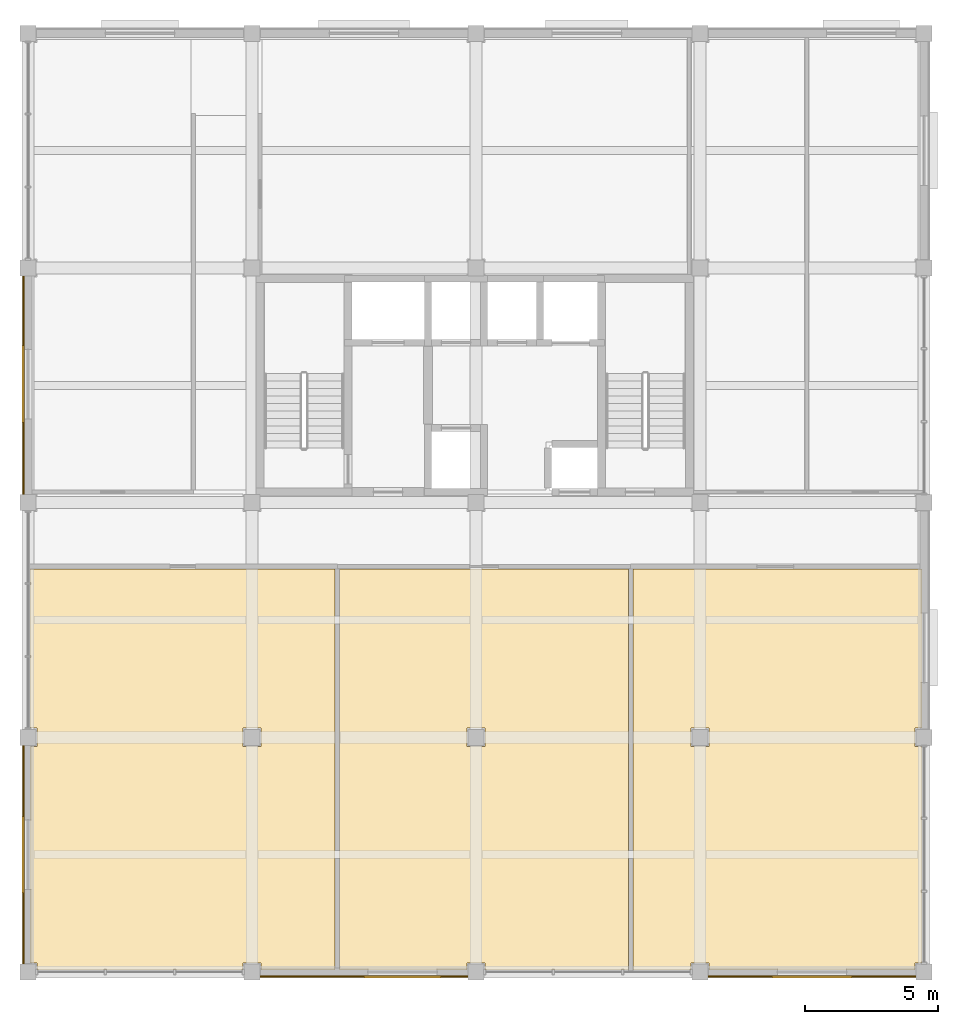
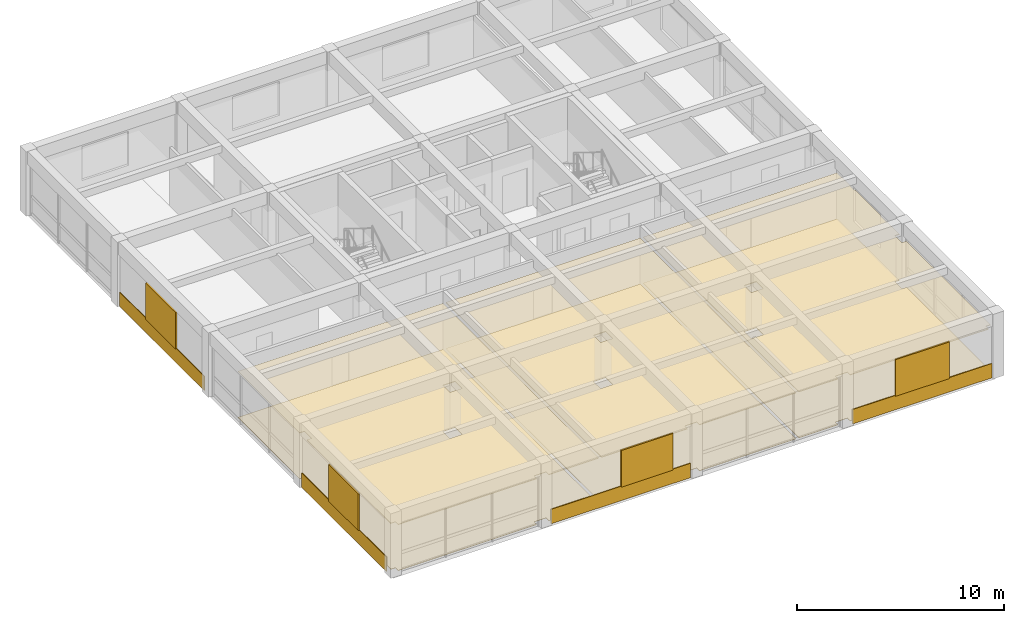
# One storey, part 9 of 12: 10 coverings, 4 shading devices.
"""IFC4 building model written with IfcOpenShell, lengths in metres."""

import ifcopenshell
import ifcopenshell.guid

model = None  # the IFC model being written
_history = None  # IfcOwnerHistory: only IFC2X3 demands one
_inside = {}  # id of a spatial element -> (the spatial element, [elements in it])
_under = {}  # id of a project, library or spatial element -> (it, [spatial elements below it])
_declared = {}  # id of a project -> (the project, [libraries it declares])
_typed = {}  # id of a type object -> (the type object, [elements of that type])
_made_of = {}  # id of a material, layer set ... -> (it, [elements and type objects made of it])


def new_model(schema):
    """Start an empty IFC model of exactly this schema.

    Asked for "IFC4X3", IfcOpenShell would pick the latest addendum, in which some entities
    have other attributes; the version numbers below select the first issue.
    IFC2X3 requires an IfcOwnerHistory on every rooted entity: one is made here for all.
    """
    global model, _history
    if schema == "IFC4X3":
        model = ifcopenshell.file(schema_version=(4, 3, 0, 0))
    else:
        model = ifcopenshell.file(schema=schema)
    _inside.clear()
    _under.clear()
    _declared.clear()
    _typed.clear()
    _made_of.clear()
    _history = None
    if model.schema == "IFC2X3":
        org = make("IfcOrganization", Name="unknown")
        user = make(
            "IfcPersonAndOrganization",
            ThePerson=make("IfcPerson", FamilyName="unknown"),
            TheOrganization=org,
        )
        app = make(
            "IfcApplication",
            ApplicationDeveloper=org,
            Version="unknown",
            ApplicationFullName="unknown",
            ApplicationIdentifier="unknown",
        )
        _history = make(
            "IfcOwnerHistory",
            OwningUser=user,
            OwningApplication=app,
            ChangeAction="ADDED",
            CreationDate=0,
        )
    return model


def make(cls, **values):
    """One entity of the class cls with the attributes given. An attribute that is None is left unset."""
    return model.create_entity(
        cls, **{name: value for name, value in values.items() if value is not None}
    )


def rooted(cls, **values):
    """An entity with a GlobalId (a new one), such as an element, a storey or a relation."""
    return make(cls, GlobalId=ifcopenshell.guid.new(), OwnerHistory=_history, **values)


def si_unit(unit_type, name, prefix=None):
    """IfcSIUnit, for example si_unit("LENGTHUNIT", "METRE", prefix="MILLI")."""
    return make("IfcSIUnit", UnitType=unit_type, Prefix=prefix, Name=name)


def assignment(units):
    """IfcUnitAssignment: the units of a project."""
    return None if units is None else make("IfcUnitAssignment", Units=units)


def point(xyz):
    """IfcCartesianPoint."""
    return None if xyz is None else make("IfcCartesianPoint", Coordinates=xyz)


def direction(xyz):
    """IfcDirection."""
    return None if xyz is None else make("IfcDirection", DirectionRatios=xyz)


def frame(location, z_axis=None, x_axis=None):
    """IfcAxis2Placement3D, a coordinate frame: its origin and axes. An axis left out is left unset."""
    return make(
        "IfcAxis2Placement3D",
        Location=point(location),
        Axis=direction(z_axis),
        RefDirection=direction(x_axis),
    )


def frame_2d(location, x_axis=None):
    """IfcAxis2Placement2D, a coordinate frame in the plane: its origin and x axis."""
    return make(
        "IfcAxis2Placement2D", Location=point(location), RefDirection=direction(x_axis)
    )


def origin():
    """The frame at (0, 0, 0) with its axes left unset."""
    return frame((0.0, 0.0, 0.0))


def origin_2d():
    """The frame at (0, 0) in the plane with its x axis left unset."""
    return frame_2d((0.0, 0.0))


def place(relative_to, where):
    """IfcLocalPlacement: puts the frame where relative to a parent placement (None: the world)."""
    return make(
        "IfcLocalPlacement", PlacementRelTo=relative_to, RelativePlacement=where
    )


def context(
    kind, dimensions, precision=None, world=None, true_north=None, identifier=None
):
    """IfcGeometricRepresentationContext, for example the 3D "Model" context."""
    return make(
        "IfcGeometricRepresentationContext",
        ContextIdentifier=identifier,
        ContextType=kind,
        CoordinateSpaceDimension=dimensions,
        Precision=precision,
        WorldCoordinateSystem=world,
        TrueNorth=true_north,
    )


def subcontext(parent, identifier, kind, view, scale=None):
    """IfcGeometricRepresentationSubContext, for example "Body" below "Model"."""
    return make(
        "IfcGeometricRepresentationSubContext",
        ContextIdentifier=identifier,
        ContextType=kind,
        ParentContext=parent,
        TargetScale=scale,
        TargetView=view,
    )


def project(units=None, contexts=None):
    """IfcProject with its units and contexts."""
    return rooted(
        "IfcProject",
        Name="project",
        RepresentationContexts=contexts,
        UnitsInContext=assignment(units),
    )


def spatial(cls, under=None, at=None, **own):
    """A site, building, storey or space (cls), placed at a placement, below another one or the project."""
    s = rooted(cls, ObjectPlacement=at, **own)
    if under is not None:
        _under.setdefault(under.id(), (under, []))[1].append(s)
    return s


def polyline(points):
    """IfcPolyline through the points."""
    return make("IfcPolyline", Points=[point(p) for p in points])


def profile(cls, at=None, kind="AREA", **sizes):
    """A parametric profile (cls). Its sizes go by their IFC names, for example OverallWidth=200.0."""
    return make(cls, ProfileType=kind, Position=at, **sizes)


def rectangle(**sizes):
    """IfcRectangleProfileDef."""
    return profile("IfcRectangleProfileDef", **sizes)


def outline(outer, holes=None, kind="AREA"):
    """IfcArbitraryClosedProfileDef: a profile drawn as a closed curve; with holes, ...WithVoids."""
    if holes is None:
        return make("IfcArbitraryClosedProfileDef", ProfileType=kind, OuterCurve=outer)
    return make(
        "IfcArbitraryProfileDefWithVoids",
        ProfileType=kind,
        OuterCurve=outer,
        InnerCurves=holes,
    )


def extrude(swept, where, along, depth):
    """IfcExtrudedAreaSolid: the profile swept, set in the frame where, extruded along a direction by depth."""
    return make(
        "IfcExtrudedAreaSolid",
        SweptArea=swept,
        Position=where,
        ExtrudedDirection=direction(along),
        Depth=depth,
    )


def shape(context_of_items, identifier, shape_type, items):
    """IfcShapeRepresentation: the items that make up one representation, for example the "Body"."""
    return make(
        "IfcShapeRepresentation",
        ContextOfItems=context_of_items,
        RepresentationIdentifier=identifier,
        RepresentationType=shape_type,
        Items=items,
    )


def material(Name=None, Category=None):
    """IfcMaterial."""
    return make("IfcMaterial", Name=Name, Category=Category)


def layer(
    of_material, thickness, ventilated=None, Name=None, Category=None, Priority=None
):
    """IfcMaterialLayer: one layer of a wall or slab, of a material (None: an air gap)."""
    return make(
        "IfcMaterialLayer",
        Material=of_material,
        LayerThickness=thickness,
        IsVentilated=ventilated,
        Name=Name,
        Category=Category,
        Priority=Priority,
    )


def layer_set(layers, Name=None):
    """IfcMaterialLayerSet."""
    return make("IfcMaterialLayerSet", MaterialLayers=layers, LayerSetName=Name)


def made_of(thing, what):
    """Note that an element or type object is made of a material, layer set ...; save() writes the relation."""
    if what is not None:
        _made_of.setdefault(what.id(), (what, []))[1].append(thing)
    return thing


def type_object(cls, material=None, **own):
    """A type object (cls), such as IfcWallType, which elements share."""
    return made_of(rooted(cls, **own), material)


def element(
    cls,
    number,
    at=None,
    inside=None,
    cuts=None,
    type_object=None,
    material=None,
    context=None,
    identifier="Body",
    shape_type=None,
    held_by="IfcProductDefinitionShape",
    body=None,
    shapes=None,
    **own,
):
    """One element of the class cls, such as IfcWall. Its Tag is "e" and its number.

    at: its placement. inside: the storey or other place that contains it. cuts: it is an
    opening in that element (IfcRelVoidsElement). A single representation is given by context,
    identifier, shape_type and body (its items); several are given by shapes. held_by: the class
    of the entity that holds the representations. save() writes the other relations.
    """
    e = rooted(cls, Tag="e%d" % number, ObjectPlacement=at, **own)
    if body is not None:
        shapes = [shape(context, identifier, shape_type, body)]
    if shapes is not None:
        e.Representation = make(held_by, Representations=shapes)
    if inside is not None:
        _inside.setdefault(inside.id(), (inside, []))[1].append(e)
    if cuts is not None:
        rooted(
            "IfcRelVoidsElement", RelatingBuildingElement=cuts, RelatedOpeningElement=e
        )
    if type_object is not None:
        _typed.setdefault(type_object.id(), (type_object, []))[1].append(e)
    return made_of(e, material)


def aggregate(whole, parts):
    """IfcRelAggregates: a whole, such as a stair, and the parts it consists of."""
    return rooted("IfcRelAggregates", RelatingObject=whole, RelatedObjects=parts)


def save(model, path):
    """Write the relations noted so far, then the file.

    IfcRelAggregates (storeys below a building ...), IfcRelContainedInSpatialStructure (elements
    in a storey), IfcRelDefinesByType, IfcRelAssociatesMaterial and IfcRelDeclares: one each for
    every whole, place, type object, material and project.
    """
    for whole, parts in _under.values():
        aggregate(whole, parts)
    for where, things in _inside.values():
        rooted(
            "IfcRelContainedInSpatialStructure",
            RelatedElements=things,
            RelatingStructure=where,
        )
    for kind, things in _typed.values():
        rooted("IfcRelDefinesByType", RelatedObjects=things, RelatingType=kind)
    for what, things in _made_of.values():
        rooted("IfcRelAssociatesMaterial", RelatedObjects=things, RelatingMaterial=what)
    for by, libraries in _declared.values():
        rooted("IfcRelDeclares", RelatingContext=by, RelatedDefinitions=libraries)
    model.write(path)


model = new_model("IFC4")

# Units and contexts
model_context = context("Model", 3, precision=1e-05, world=origin(), true_north=direction((0.0, 1.0)))
body_context = subcontext(model_context, "Body", "Model", "MODEL_VIEW")
ifc_project = project(units=[si_unit("LENGTHUNIT", "METRE"), si_unit("AREAUNIT", "SQUARE_METRE"), si_unit("VOLUMEUNIT", "CUBIC_METRE"), si_unit("PLANEANGLEUNIT", "RADIAN"), si_unit("MASSUNIT", "GRAM", prefix="KILO")], contexts=[model_context])

# Site, building, storey
site_placement = place(None, origin())
site = spatial("IfcSite", under=ifc_project, at=site_placement, CompositionType="ELEMENT")
building_placement = place(site_placement, origin())
building = spatial("IfcBuilding", under=site, at=building_placement, Name="Kemercrest Conservatory and Botanical Centre", CompositionType="ELEMENT")
storey_placement = place(building_placement, frame((0.0, 0.0, 56.0)))
storey = spatial("IfcBuildingStorey", under=building, at=storey_placement, Name="L14", CompositionType="ELEMENT", Elevation=56.0)

# Coverings
ifc_material_1 = material(Name="Honed limestone almasik ashlar rainscreen", Category="masonry")
ifc_layer_1 = layer(ifc_material_1, 0.0400390625)
ifc_layer_set_1 = layer_set([ifc_layer_1], Name="Honed limestone almasik ashlar rainscreen")
covering_type_1 = type_object("IfcCoveringType", Name="CV-CLD040", PredefinedType="CLADDING", material=ifc_layer_set_1)
covering_1_placement = place(storey_placement, origin())
element("IfcCovering", 1, at=covering_1_placement, inside=storey, type_object=covering_type_1, Name="Exterior stone spandrel cladding (WAL:L14:EXT-333)", PredefinedType="CLADDING", context=body_context, shape_type="SweptSolid", body=[
    extrude(outline(polyline([(151.110107421875, 87.050048828125), (151.110107421875, 87.010009765625), (158.889892578125, 87.010009765625), (158.889892578125, 87.050048828125), (151.110107421875, 87.050048828125)])), origin(), (0.0, 0.0, 1.0), 0.85009765625),
])
covering_2_placement = place(storey_placement, origin())
element("IfcCovering", 2, at=covering_2_placement, inside=storey, type_object=covering_type_1, Name="Exterior stone spandrel cladding (WAL:L14:EXT-334)", PredefinedType="CLADDING", context=body_context, shape_type="SweptSolid", body=[
    extrude(outline(polyline([(167.909912109375, 87.050048828125), (167.909912109375, 87.010009765625), (175.68994140625, 87.010009765625), (175.68994140625, 87.050048828125), (167.909912109375, 87.050048828125)])), origin(), (0.0, 0.0, 1.0), 0.85009765625),
])
covering_3_placement = place(storey_placement, origin())
element("IfcCovering", 3, at=covering_3_placement, inside=storey, type_object=covering_type_1, Name="Exterior stone spandrel cladding (WAL:L14:EXT-341)", PredefinedType="CLADDING", context=body_context, shape_type="SweptSolid", body=[
    extrude(outline(polyline([(142.25, 113.2900390625), (142.2099609375, 113.2900390625), (142.2099609375, 105.110107421875), (142.25, 105.110107421875), (142.25, 113.2900390625)])), origin(), (0.0, 0.0, 1.0), 0.85009765625),
])
covering_4_placement = place(storey_placement, origin())
element("IfcCovering", 4, at=covering_4_placement, inside=storey, type_object=covering_type_1, Name="Exterior stone spandrel cladding (WAL:L14:EXT-342)", PredefinedType="CLADDING", context=body_context, shape_type="SweptSolid", body=[
    extrude(outline(polyline([(142.25, 95.68994140625), (142.2099609375, 95.68994140625), (142.2099609375, 87.510009765625), (142.25, 87.510009765625), (142.25, 95.68994140625)])), origin(), (0.0, 0.0, 1.0), 0.85009765625),
])
ifc_material_2 = material(Name="Perforated acoustic gypsum and mineral-fibre suspended ceiling", Category="gypsum")
ifc_layer_2 = layer(ifc_material_2, 0.034912109375)
ifc_layer_set_2 = layer_set([ifc_layer_2], Name="Perforated acoustic gypsum and mineral-fibre suspended ceiling")
covering_type_2 = type_object("IfcCoveringType", Name="CV-CLG035", PredefinedType="CEILING", material=ifc_layer_set_2)
covering_5_placement = place(storey_placement, frame((0.0, 0.0, 2.699951171875)))
element("IfcCovering", 5, at=covering_5_placement, inside=storey, type_object=covering_type_2, Name="Ethnobotany Research Laboratory suspended acoustic ceiling", PredefinedType="CEILING", context=body_context, shape_type="SweptSolid", body=[
    extrude(outline(polyline([(150.4599609375, 87.5400390625), (151.139892578125, 87.5400390625), (151.139892578125, 87.280029296875), (153.919921875, 87.280029296875), (153.919921875, 102.320068359375), (142.47998046875, 102.320068359375), (142.47998046875, 96.340087890625), (142.739990234375, 96.340087890625), (142.739990234375, 95.659912109375), (142.47998046875, 95.659912109375), (142.47998046875, 87.5400390625), (142.739990234375, 87.5400390625), (142.739990234375, 87.280029296875), (150.4599609375, 87.280029296875), (150.4599609375, 87.5400390625)]), holes=[polyline([(150.4599609375, 95.659912109375), (150.4599609375, 96.340087890625), (151.139892578125, 96.340087890625), (151.139892578125, 95.659912109375), (150.4599609375, 95.659912109375)])]), origin(), (0.0, 0.0, 1.0), 0.03515625),
])
covering_6_placement = place(storey_placement, frame((0.0, 0.0, 2.699951171875)))
element("IfcCovering", 6, at=covering_6_placement, inside=storey, type_object=covering_type_2, Name="Alpine Ecology Studio suspended acoustic ceiling", PredefinedType="CEILING", context=body_context, shape_type="SweptSolid", body=[
    extrude(outline(polyline([(158.860107421875, 87.5400390625), (159.5400390625, 87.5400390625), (159.5400390625, 87.280029296875), (164.919921875, 87.280029296875), (164.919921875, 102.320068359375), (154.080078125, 102.320068359375), (154.080078125, 87.280029296875), (158.860107421875, 87.280029296875), (158.860107421875, 87.5400390625)]), holes=[polyline([(158.860107421875, 96.340087890625), (159.5400390625, 96.340087890625), (159.5400390625, 95.659912109375), (158.860107421875, 95.659912109375), (158.860107421875, 96.340087890625)])]), origin(), (0.0, 0.0, 1.0), 0.03515625),
])
covering_7_placement = place(storey_placement, frame((0.0, 0.0, 2.699951171875)))
element("IfcCovering", 7, at=covering_7_placement, inside=storey, type_object=covering_type_2, Name="GIS Mapping Laboratory suspended acoustic ceiling", PredefinedType="CEILING", context=body_context, shape_type="SweptSolid", body=[
    extrude(outline(polyline([(167.260009765625, 87.5400390625), (167.93994140625, 87.5400390625), (167.93994140625, 87.280029296875), (175.659912109375, 87.280029296875), (175.659912109375, 87.5400390625), (175.919921875, 87.5400390625), (175.919921875, 95.659912109375), (175.659912109375, 95.659912109375), (175.659912109375, 96.340087890625), (175.919921875, 96.340087890625), (175.919921875, 102.320068359375), (165.080078125, 102.320068359375), (165.080078125, 87.280029296875), (167.260009765625, 87.280029296875), (167.260009765625, 87.5400390625)]), holes=[polyline([(167.260009765625, 96.340087890625), (167.93994140625, 96.340087890625), (167.93994140625, 95.659912109375), (167.260009765625, 95.659912109375), (167.260009765625, 96.340087890625)])]), origin(), (0.0, 0.0, 1.0), 0.03515625),
])
ifc_material_3 = material(Name="Polished limestone terrazzo and seamless laboratory epoxy flooring", Category="masonry")
ifc_layer_3 = layer(ifc_material_3, 0.02001953125)
ifc_layer_set_3 = layer_set([ifc_layer_3], Name="Polished limestone terrazzo and seamless laboratory epoxy flooring")
covering_type_3 = type_object("IfcCoveringType", Name="CV-FLR020", PredefinedType="FLOORING", material=ifc_layer_set_3)
covering_8_placement = place(storey_placement, origin())
element("IfcCovering", 8, at=covering_8_placement, inside=storey, type_object=covering_type_3, Name="Ethnobotany Research Laboratory floor finish", PredefinedType="FLOORING", context=body_context, shape_type="SweptSolid", body=[
    extrude(outline(polyline([(150.4599609375, 87.5400390625), (151.139892578125, 87.5400390625), (151.139892578125, 87.280029296875), (153.919921875, 87.280029296875), (153.919921875, 102.320068359375), (142.47998046875, 102.320068359375), (142.47998046875, 96.340087890625), (142.739990234375, 96.340087890625), (142.739990234375, 95.659912109375), (142.47998046875, 95.659912109375), (142.47998046875, 87.5400390625), (142.739990234375, 87.5400390625), (142.739990234375, 87.280029296875), (150.4599609375, 87.280029296875), (150.4599609375, 87.5400390625)]), holes=[polyline([(150.4599609375, 95.659912109375), (150.4599609375, 96.340087890625), (151.139892578125, 96.340087890625), (151.139892578125, 95.659912109375), (150.4599609375, 95.659912109375)])]), origin(), (0.0, 0.0, 1.0), 0.02001953125),
])
covering_9_placement = place(storey_placement, origin())
element("IfcCovering", 9, at=covering_9_placement, inside=storey, type_object=covering_type_3, Name="Alpine Ecology Studio floor finish", PredefinedType="FLOORING", context=body_context, shape_type="SweptSolid", body=[
    extrude(outline(polyline([(158.860107421875, 87.5400390625), (159.5400390625, 87.5400390625), (159.5400390625, 87.280029296875), (164.919921875, 87.280029296875), (164.919921875, 102.320068359375), (154.080078125, 102.320068359375), (154.080078125, 87.280029296875), (158.860107421875, 87.280029296875), (158.860107421875, 87.5400390625)]), holes=[polyline([(158.860107421875, 96.340087890625), (159.5400390625, 96.340087890625), (159.5400390625, 95.659912109375), (158.860107421875, 95.659912109375), (158.860107421875, 96.340087890625)])]), origin(), (0.0, 0.0, 1.0), 0.02001953125),
])
covering_10_placement = place(storey_placement, origin())
element("IfcCovering", 10, at=covering_10_placement, inside=storey, type_object=covering_type_3, Name="GIS Mapping Laboratory floor finish", PredefinedType="FLOORING", context=body_context, shape_type="SweptSolid", body=[
    extrude(outline(polyline([(167.260009765625, 87.5400390625), (167.93994140625, 87.5400390625), (167.93994140625, 87.280029296875), (175.659912109375, 87.280029296875), (175.659912109375, 87.5400390625), (175.919921875, 87.5400390625), (175.919921875, 95.659912109375), (175.659912109375, 95.659912109375), (175.659912109375, 96.340087890625), (175.919921875, 96.340087890625), (175.919921875, 102.320068359375), (165.080078125, 102.320068359375), (165.080078125, 87.280029296875), (167.260009765625, 87.280029296875), (167.260009765625, 87.5400390625)]), holes=[polyline([(167.260009765625, 96.340087890625), (167.93994140625, 96.340087890625), (167.93994140625, 95.659912109375), (167.260009765625, 95.659912109375), (167.260009765625, 96.340087890625)])]), origin(), (0.0, 0.0, 1.0), 0.02001953125),
])

# Shading devices
ifc_material_4 = material(Name="Perforated bronze-anodized aluminium", Category="aluminium")
shading_device_type_1 = type_object("IfcShadingDeviceType", Name="SH-MS02", PredefinedType="USERDEFINED", material=ifc_material_4)
shading_device_1_placement = place(storey_placement, frame((142.2119140625, 109.2451171875, 0.81982421875), z_axis=(0.0, 0.0, 1.0), x_axis=(0.0, -1.0, 0.0)))
element("IfcShadingDevice", 11, at=shading_device_1_placement, inside=storey, type_object=shading_device_type_1, Name="Ottoman mashrabiya perforated screen SH-MS02 (WIN:L14:EXT-341)", ObjectType="MASHRABIYA SCREEN", PredefinedType="USERDEFINED", context=body_context, shape_type="SweptSolid", body=[
    extrude(rectangle(XDim=2.8798828125, YDim=0.080078125, at=origin_2d()), origin(), (0.0, 0.0, 1.0), 2.159912109375),
])
shading_device_type_2 = type_object("IfcShadingDeviceType", Name="SH-MS03", PredefinedType="USERDEFINED", material=ifc_material_4)
shading_device_2_placement = place(storey_placement, frame((142.2119140625, 91.60009765625, 0.81982421875), z_axis=(0.0, 0.0, 1.0), x_axis=(0.0, -1.0, 0.0)))
element("IfcShadingDevice", 12, at=shading_device_2_placement, inside=storey, type_object=shading_device_type_2, Name="Ottoman mashrabiya perforated screen SH-MS03 (WIN:L14:EXT-342)", ObjectType="MASHRABIYA SCREEN", PredefinedType="USERDEFINED", context=body_context, shape_type="SweptSolid", body=[
    extrude(rectangle(XDim=2.8798828125, YDim=0.080078125, at=origin_2d()), origin(), (0.0, 0.0, 1.0), 2.159912109375),
])
shading_device_type_3 = type_object("IfcShadingDeviceType", Name="SH-MS04", PredefinedType="USERDEFINED", material=ifc_material_4)
shading_device_3_placement = place(storey_placement, frame((156.445068359375, 87.011962890625, 0.81982421875), z_axis=(0.0, 0.0, 1.0), x_axis=(1.0, 0.0, 0.0)))
element("IfcShadingDevice", 13, at=shading_device_3_placement, inside=storey, type_object=shading_device_type_3, Name="Ottoman mashrabiya perforated screen SH-MS04 (WIN:L14:EXT-333)", ObjectType="MASHRABIYA SCREEN", PredefinedType="USERDEFINED", context=body_context, shape_type="SweptSolid", body=[
    extrude(rectangle(XDim=2.8798828125, YDim=0.080078125, at=origin_2d()), origin(), (0.0, 0.0, 1.0), 2.159912109375),
])
shading_device_type_4 = type_object("IfcShadingDeviceType", Name="SH-MS05", PredefinedType="USERDEFINED", material=ifc_material_4)
shading_device_4_placement = place(storey_placement, frame((171.800048828125, 87.011962890625, 0.81982421875), z_axis=(0.0, 0.0, 1.0), x_axis=(1.0, 0.0, 0.0)))
element("IfcShadingDevice", 14, at=shading_device_4_placement, inside=storey, type_object=shading_device_type_4, Name="Ottoman mashrabiya perforated screen SH-MS05 (WIN:L14:EXT-334)", ObjectType="MASHRABIYA SCREEN", PredefinedType="USERDEFINED", context=body_context, shape_type="SweptSolid", body=[
    extrude(rectangle(XDim=3.0, YDim=0.080078125, at=origin_2d()), origin(), (0.0, 0.0, 1.0), 2.159912109375),
])

save(model, "model.ifc")
